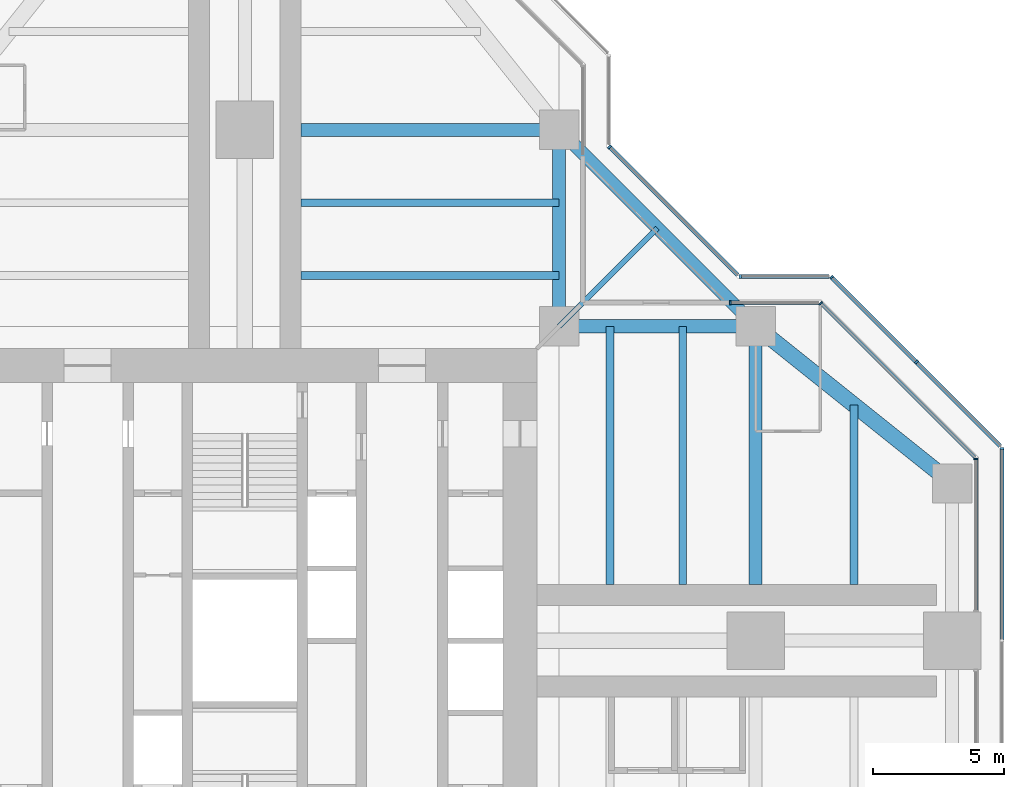
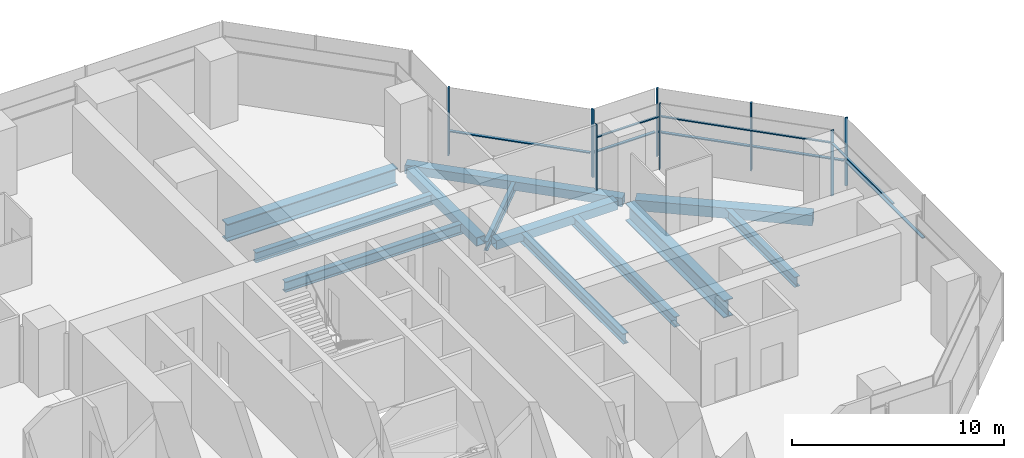
# One storey, part 8 of 17: 16 members, 12 beams, 7 elements without a shape of their own.
"""IFC4 building model written with IfcOpenShell, lengths in metres."""

import ifcopenshell
import ifcopenshell.guid

model = None  # the IFC model being written
_history = None  # IfcOwnerHistory: only IFC2X3 demands one
_inside = {}  # id of a spatial element -> (the spatial element, [elements in it])
_under = {}  # id of a project, library or spatial element -> (it, [spatial elements below it])
_declared = {}  # id of a project -> (the project, [libraries it declares])
_typed = {}  # id of a type object -> (the type object, [elements of that type])
_made_of = {}  # id of a material, layer set ... -> (it, [elements and type objects made of it])


def new_model(schema):
    """Start an empty IFC model of exactly this schema.

    Asked for "IFC4X3", IfcOpenShell would pick the latest addendum, in which some entities
    have other attributes; the version numbers below select the first issue.
    IFC2X3 requires an IfcOwnerHistory on every rooted entity: one is made here for all.
    """
    global model, _history
    if schema == "IFC4X3":
        model = ifcopenshell.file(schema_version=(4, 3, 0, 0))
    else:
        model = ifcopenshell.file(schema=schema)
    _inside.clear()
    _under.clear()
    _declared.clear()
    _typed.clear()
    _made_of.clear()
    _history = None
    if model.schema == "IFC2X3":
        org = make("IfcOrganization", Name="unknown")
        user = make(
            "IfcPersonAndOrganization",
            ThePerson=make("IfcPerson", FamilyName="unknown"),
            TheOrganization=org,
        )
        app = make(
            "IfcApplication",
            ApplicationDeveloper=org,
            Version="unknown",
            ApplicationFullName="unknown",
            ApplicationIdentifier="unknown",
        )
        _history = make(
            "IfcOwnerHistory",
            OwningUser=user,
            OwningApplication=app,
            ChangeAction="ADDED",
            CreationDate=0,
        )
    return model


def make(cls, **values):
    """One entity of the class cls with the attributes given. An attribute that is None is left unset."""
    return model.create_entity(
        cls, **{name: value for name, value in values.items() if value is not None}
    )


def rooted(cls, **values):
    """An entity with a GlobalId (a new one), such as an element, a storey or a relation."""
    return make(cls, GlobalId=ifcopenshell.guid.new(), OwnerHistory=_history, **values)


def si_unit(unit_type, name, prefix=None):
    """IfcSIUnit, for example si_unit("LENGTHUNIT", "METRE", prefix="MILLI")."""
    return make("IfcSIUnit", UnitType=unit_type, Prefix=prefix, Name=name)


def assignment(units):
    """IfcUnitAssignment: the units of a project."""
    return None if units is None else make("IfcUnitAssignment", Units=units)


def point(xyz):
    """IfcCartesianPoint."""
    return None if xyz is None else make("IfcCartesianPoint", Coordinates=xyz)


def direction(xyz):
    """IfcDirection."""
    return None if xyz is None else make("IfcDirection", DirectionRatios=xyz)


def frame(location, z_axis=None, x_axis=None):
    """IfcAxis2Placement3D, a coordinate frame: its origin and axes. An axis left out is left unset."""
    return make(
        "IfcAxis2Placement3D",
        Location=point(location),
        Axis=direction(z_axis),
        RefDirection=direction(x_axis),
    )


def frame_2d(location, x_axis=None):
    """IfcAxis2Placement2D, a coordinate frame in the plane: its origin and x axis."""
    return make(
        "IfcAxis2Placement2D", Location=point(location), RefDirection=direction(x_axis)
    )


def origin():
    """The frame at (0, 0, 0) with its axes left unset."""
    return frame((0.0, 0.0, 0.0))


def origin_2d():
    """The frame at (0, 0) in the plane with its x axis left unset."""
    return frame_2d((0.0, 0.0))


def place(relative_to, where):
    """IfcLocalPlacement: puts the frame where relative to a parent placement (None: the world)."""
    return make(
        "IfcLocalPlacement", PlacementRelTo=relative_to, RelativePlacement=where
    )


def context(
    kind, dimensions, precision=None, world=None, true_north=None, identifier=None
):
    """IfcGeometricRepresentationContext, for example the 3D "Model" context."""
    return make(
        "IfcGeometricRepresentationContext",
        ContextIdentifier=identifier,
        ContextType=kind,
        CoordinateSpaceDimension=dimensions,
        Precision=precision,
        WorldCoordinateSystem=world,
        TrueNorth=true_north,
    )


def subcontext(parent, identifier, kind, view, scale=None):
    """IfcGeometricRepresentationSubContext, for example "Body" below "Model"."""
    return make(
        "IfcGeometricRepresentationSubContext",
        ContextIdentifier=identifier,
        ContextType=kind,
        ParentContext=parent,
        TargetScale=scale,
        TargetView=view,
    )


def project(units=None, contexts=None):
    """IfcProject with its units and contexts."""
    return rooted(
        "IfcProject",
        Name="project",
        RepresentationContexts=contexts,
        UnitsInContext=assignment(units),
    )


def spatial(cls, under=None, at=None, **own):
    """A site, building, storey or space (cls), placed at a placement, below another one or the project."""
    s = rooted(cls, ObjectPlacement=at, **own)
    if under is not None:
        _under.setdefault(under.id(), (under, []))[1].append(s)
    return s


def profile(cls, at=None, kind="AREA", **sizes):
    """A parametric profile (cls). Its sizes go by their IFC names, for example OverallWidth=200.0."""
    return make(cls, ProfileType=kind, Position=at, **sizes)


def rectangle(**sizes):
    """IfcRectangleProfileDef."""
    return profile("IfcRectangleProfileDef", **sizes)


def hollow_rectangle(**sizes):
    """IfcRectangleHollowProfileDef."""
    return profile("IfcRectangleHollowProfileDef", **sizes)


def i_section(**sizes):
    """IfcIShapeProfileDef."""
    return profile("IfcIShapeProfileDef", **sizes)


def extrude(swept, where, along, depth):
    """IfcExtrudedAreaSolid: the profile swept, set in the frame where, extruded along a direction by depth."""
    return make(
        "IfcExtrudedAreaSolid",
        SweptArea=swept,
        Position=where,
        ExtrudedDirection=direction(along),
        Depth=depth,
    )


def shape(context_of_items, identifier, shape_type, items):
    """IfcShapeRepresentation: the items that make up one representation, for example the "Body"."""
    return make(
        "IfcShapeRepresentation",
        ContextOfItems=context_of_items,
        RepresentationIdentifier=identifier,
        RepresentationType=shape_type,
        Items=items,
    )


def material(Name=None, Category=None):
    """IfcMaterial."""
    return make("IfcMaterial", Name=Name, Category=Category)


def material_profile(
    of_material, cross_section, Name=None, Category=None, Priority=None
):
    """IfcMaterialProfile: a cross section and its material."""
    return make(
        "IfcMaterialProfile",
        Name=Name,
        Material=of_material,
        Profile=cross_section,
        Priority=Priority,
        Category=Category,
    )


def profile_set(profiles, Name=None, composite=None):
    """IfcMaterialProfileSet."""
    return make(
        "IfcMaterialProfileSet",
        Name=Name,
        MaterialProfiles=profiles,
        CompositeProfile=composite,
    )


def made_of(thing, what):
    """Note that an element or type object is made of a material, layer set ...; save() writes the relation."""
    if what is not None:
        _made_of.setdefault(what.id(), (what, []))[1].append(thing)
    return thing


def type_object(cls, material=None, **own):
    """A type object (cls), such as IfcWallType, which elements share."""
    return made_of(rooted(cls, **own), material)


def element(
    cls,
    number,
    at=None,
    inside=None,
    cuts=None,
    type_object=None,
    material=None,
    context=None,
    identifier="Body",
    shape_type=None,
    held_by="IfcProductDefinitionShape",
    body=None,
    shapes=None,
    **own,
):
    """One element of the class cls, such as IfcWall. Its Tag is "e" and its number.

    at: its placement. inside: the storey or other place that contains it. cuts: it is an
    opening in that element (IfcRelVoidsElement). A single representation is given by context,
    identifier, shape_type and body (its items); several are given by shapes. held_by: the class
    of the entity that holds the representations. save() writes the other relations.
    """
    e = rooted(cls, Tag="e%d" % number, ObjectPlacement=at, **own)
    if body is not None:
        shapes = [shape(context, identifier, shape_type, body)]
    if shapes is not None:
        e.Representation = make(held_by, Representations=shapes)
    if inside is not None:
        _inside.setdefault(inside.id(), (inside, []))[1].append(e)
    if cuts is not None:
        rooted(
            "IfcRelVoidsElement", RelatingBuildingElement=cuts, RelatedOpeningElement=e
        )
    if type_object is not None:
        _typed.setdefault(type_object.id(), (type_object, []))[1].append(e)
    return made_of(e, material)


def aggregate(whole, parts):
    """IfcRelAggregates: a whole, such as a stair, and the parts it consists of."""
    return rooted("IfcRelAggregates", RelatingObject=whole, RelatedObjects=parts)


def save(model, path):
    """Write the relations noted so far, then the file.

    IfcRelAggregates (storeys below a building ...), IfcRelContainedInSpatialStructure (elements
    in a storey), IfcRelDefinesByType, IfcRelAssociatesMaterial and IfcRelDeclares: one each for
    every whole, place, type object, material and project.
    """
    for whole, parts in _under.values():
        aggregate(whole, parts)
    for where, things in _inside.values():
        rooted(
            "IfcRelContainedInSpatialStructure",
            RelatedElements=things,
            RelatingStructure=where,
        )
    for kind, things in _typed.values():
        rooted("IfcRelDefinesByType", RelatedObjects=things, RelatingType=kind)
    for what, things in _made_of.values():
        rooted("IfcRelAssociatesMaterial", RelatedObjects=things, RelatingMaterial=what)
    for by, libraries in _declared.values():
        rooted("IfcRelDeclares", RelatingContext=by, RelatedDefinitions=libraries)
    model.write(path)


model = new_model("IFC4")

# Units and contexts
model_context = context("Model", 3, precision=1e-05, world=origin(), true_north=direction((0.0, 1.0)))
body_context = subcontext(model_context, "Body", "Model", "MODEL_VIEW")
ifc_project = project(units=[si_unit("LENGTHUNIT", "METRE"), si_unit("AREAUNIT", "SQUARE_METRE"), si_unit("VOLUMEUNIT", "CUBIC_METRE"), si_unit("PLANEANGLEUNIT", "RADIAN"), si_unit("MASSUNIT", "GRAM", prefix="KILO")], contexts=[model_context])

# Site, building, storey
site_placement = place(None, origin())
site = spatial("IfcSite", under=ifc_project, at=site_placement, CompositionType="ELEMENT")
building_placement = place(site_placement, origin())
building = spatial("IfcBuilding", under=site, at=building_placement, Name="Mizan Broadcast Tower", CompositionType="ELEMENT")
storey_placement = place(building_placement, frame((0.0, 0.0, 240.0)))
storey = spatial("IfcBuildingStorey", under=building, at=storey_placement, Name="L56", CompositionType="ELEMENT", Elevation=240.0)

# Beams
ifc_material_1 = material(Name="Steel S355", Category="steel")
ifc_material_profile_1 = material_profile(ifc_material_1, hollow_rectangle(XDim=0.5, YDim=0.5, WallThickness=0.030029296875, at=origin_2d()), Name="BOX 500x500x30")
ifc_profile_set_1 = profile_set([ifc_material_profile_1], Name="Steel S355")
beam_type_1 = type_object("IfcBeamType", Name="EDGE BEAM BOX 500x500x30", PredefinedType="SPANDREL", material=ifc_profile_set_1)
for number, where, z_axis, x_axis, name in (
    (1, (12.449951171875, 12.0, -0.3798828125), (1.0, 0.0, 0.0), (0.0, 1.0, 0.0), "Edge beam BOX 500x500x30 L56 east arm"),
    (2, (12.0, 12.449951171875, -0.3798828125), (0.0, 1.0, 0.0), (-1.0, 0.0, 0.0), "Edge beam BOX 500x500x30 L56 north arm"),
):
    element("IfcBeam", number, at=place(storey_placement, frame(where, z_axis=z_axis, x_axis=x_axis)), inside=storey, type_object=beam_type_1, Name=name, PredefinedType="SPANDREL", context=body_context, shape_type="SweptSolid", body=[
        extrude(hollow_rectangle(XDim=0.5, YDim=0.5, WallThickness=0.030029296875, at=origin_2d()), origin(), (0.0, 0.0, 1.0), 6.60009765625),
    ])
beam_1_placement = place(storey_placement, frame((19.5, 12.0, -0.3798828125), z_axis=(-0.707106781187, 0.707106781187, 0.0), x_axis=(-0.707106781187, -0.707106781187, 0.0)))
element("IfcBeam", 3, at=beam_1_placement, inside=storey, type_object=beam_type_1, Name="Winter garden edge beam L56 E", PredefinedType="SPANDREL", context=body_context, shape_type="SweptSolid", body=[
    extrude(hollow_rectangle(XDim=0.5, YDim=0.5, WallThickness=0.030029296875, at=origin_2d()), origin(), (0.0, 0.0, 1.0), 10.606689453125),
])
ifc_material_2 = material(Name="Steel S355", Category="steel")
ifc_material_profile_2 = material_profile(ifc_material_2, hollow_rectangle(XDim=0.60009765625, YDim=0.60009765625, WallThickness=0.030029296875, at=origin_2d()), Name="BOX 600x600x30")
ifc_profile_set_2 = profile_set([ifc_material_profile_2], Name="Steel S355")
beam_type_2 = type_object("IfcBeamType", Name="EDGE BEAM BOX 600x600x30", PredefinedType="SPANDREL", material=ifc_profile_set_2)
beam_2_placement = place(storey_placement, frame((19.949951171875, 11.639892578125, -0.429931640625), z_axis=(0.780885717636, -0.624673911726, 0.0), x_axis=(0.624673911726, 0.780885717636, 0.0)))
element("IfcBeam", 4, at=beam_2_placement, inside=storey, type_object=beam_type_2, Name="Edge beam BOX 600x600x30 L56 east arm", PredefinedType="SPANDREL", context=body_context, shape_type="SweptSolid", body=[
    extrude(hollow_rectangle(XDim=0.60009765625, YDim=0.60009765625, WallThickness=0.030029296875, at=origin_2d()), origin(), (0.0, 0.0, 1.0), 8.4521484375),
])
ifc_material_3 = material(Name="Steel S460", Category="steel")
ifc_material_profile_3 = material_profile(ifc_material_3, i_section(OverallWidth=0.5, OverallDepth=1.0, WebThickness=0.02490234375, FlangeThickness=0.050048828125, at=origin_2d()), Name="WPG 1000x500")
ifc_profile_set_3 = profile_set([ifc_material_profile_3], Name="Steel S460")
beam_type_3 = type_object("IfcBeamType", Name="GIRDER WPG 1000x500", PredefinedType="BEAM", material=ifc_profile_set_3)
for number, where, z_axis, x_axis, name in (
    (5, (19.5, 11.408935546875, -0.6298828125), (0.0, -1.0, 0.0), (1.0, 0.0, 0.0), "Girder WPG 1000x500 L56 east arm"),
    (6, (11.408935546875, 19.5, -0.6298828125), (-1.0, 0.0, 0.0), (0.0, -1.0, 0.0), "Girder WPG 1000x500 L56 north arm"),
):
    element("IfcBeam", number, at=place(storey_placement, frame(where, z_axis=z_axis, x_axis=x_axis)), inside=storey, type_object=beam_type_3, Name=name, PredefinedType="BEAM", context=body_context, shape_type="SweptSolid", body=[
        extrude(i_section(OverallWidth=0.5, OverallDepth=1.0, WebThickness=0.02490234375, FlangeThickness=0.050048828125, at=origin_2d()), origin(), (0.0, 0.0, 1.0), 9.259033203125),
    ])

# Curtain wall, member
ifc_material_4 = material(Name="Aluminium framed glazing", Category="aluminium")
curtain_wall_type_1 = type_object("IfcCurtainWallType", Name="INNER SKIN HIGH ZONE", PredefinedType="USERDEFINED", material=ifc_material_4)
curtain_wall_1_placement = place(storey_placement, origin())
curtain_wall_1 = element("IfcCurtainWall", 7, at=curtain_wall_1_placement, inside=storey, type_object=curtain_wall_type_1, Name="Inner skin high zone L56 E end", ObjectType="INNER SKIN HIGH ZONE", PredefinedType="USERDEFINED")
ifc_material_5 = material(Name="Aluminium, pale anodised", Category="aluminium")
ifc_material_profile_4 = material_profile(ifc_material_5, rectangle(XDim=0.159912109375, YDim=0.06005859375, at=origin_2d()), Name="MULLION 160x60")
ifc_profile_set_4 = profile_set([ifc_material_profile_4], Name="Aluminium, pale anodised")
member_type_1 = type_object("IfcMemberType", Name="INNER SKIN MULLION 60x160", PredefinedType="MULLION", material=ifc_profile_set_4)
member_1_placement = place(storey_placement, frame((27.89990234375, 6.928466796875, 0.0), z_axis=(0.0, 0.0, 1.0), x_axis=(-1.0, 0.0, 0.0)))
member_1 = element("IfcMember", 8, at=member_1_placement, type_object=member_type_1, Name="Inner skin high zone L56 E end mullion 2", PredefinedType="MULLION", context=body_context, shape_type="SweptSolid", body=[
    extrude(rectangle(XDim=0.159912109375, YDim=0.06005859375, at=origin_2d()), origin(), (0.0, 0.0, 1.0), 3.77001953125),
])

curtain_wall_2_placement = place(storey_placement, origin())
curtain_wall_2 = element("IfcCurtainWall", 9, at=curtain_wall_2_placement, inside=storey, type_object=curtain_wall_type_1, Name="Inner skin high zone L56 E chamfer", ObjectType="INNER SKIN HIGH ZONE", PredefinedType="USERDEFINED")
member_2_placement = place(storey_placement, frame((21.979736328125, 12.87890625, 0.0), z_axis=(0.0, 0.0, 1.0), x_axis=(-0.707106781187, -0.707106781187, 0.0)))
member_2 = element("IfcMember", 10, at=member_2_placement, type_object=member_type_1, Name="Inner skin high zone L56 E chamfer mullion 2", PredefinedType="MULLION", context=body_context, shape_type="SweptSolid", body=[
    extrude(rectangle(XDim=0.159912109375, YDim=0.06005859375, at=origin_2d()), origin(), (0.0, 0.0, 1.0), 3.77001953125),
])

curtain_wall_3_placement = place(storey_placement, origin())
curtain_wall_3 = element("IfcCurtainWall", 11, at=curtain_wall_3_placement, inside=storey, type_object=curtain_wall_type_1, Name="Inner skin high zone L56 E side", ObjectType="INNER SKIN HIGH ZONE", PredefinedType="USERDEFINED")
member_3_placement = place(storey_placement, frame((18.530029296875, 12.89990234375, 0.0), z_axis=(0.0, 0.0, 1.0), x_axis=(0.0, -1.0, 0.0)))
member_3 = element("IfcMember", 12, at=member_3_placement, type_object=member_type_1, Name="Inner skin high zone L56 E side mullion 2", PredefinedType="MULLION", context=body_context, shape_type="SweptSolid", body=[
    extrude(rectangle(XDim=0.159912109375, YDim=0.06005859375, at=origin_2d()), origin(), (0.0, 0.0, 1.0), 3.77001953125),
])

# Member
ifc_material_6 = material(Name="Aluminium, pale anodised", Category="aluminium")
ifc_material_profile_5 = material_profile(ifc_material_6, rectangle(XDim=0.1201171875, YDim=0.06005859375, at=origin_2d()), Name="TRANSOM 120x60")
ifc_profile_set_5 = profile_set([ifc_material_profile_5], Name="Aluminium, pale anodised")
member_type_2 = type_object("IfcMemberType", Name="INNER SKIN TRANSOM 60x120", PredefinedType="USERDEFINED", material=ifc_profile_set_5)
member_4_placement = place(storey_placement, frame((27.89990234375, 1.159912109375, 3.030029296875), z_axis=(0.0, 1.0, 0.0), x_axis=(-1.0, 0.0, 0.0)))
member_4 = element("IfcMember", 13, at=member_4_placement, type_object=member_type_2, Name="Inner skin high zone L56 E end transom 1.1", ObjectType="TRANSOM", PredefinedType="USERDEFINED", context=body_context, shape_type="SweptSolid", body=[
    extrude(rectangle(XDim=0.1201171875, YDim=0.06005859375, at=origin_2d()), origin(), (0.0, 0.0, 1.0), 5.73876953125),
])

aggregate(curtain_wall_1, [member_1, member_4])

member_5_placement = place(storey_placement, frame((27.857666015625, 7.0009765625, 3.030029296875), z_axis=(-0.707106781187, 0.707106781187, 0.0), x_axis=(-0.707106781187, -0.707106781187, 0.0)))
member_5 = element("IfcMember", 14, at=member_5_placement, type_object=member_type_2, Name="Inner skin high zone L56 E chamfer transom 1.1", ObjectType="TRANSOM", PredefinedType="USERDEFINED", context=body_context, shape_type="SweptSolid", body=[
    extrude(rectangle(XDim=0.1201171875, YDim=0.06005859375, at=origin_2d()), origin(), (0.0, 0.0, 1.0), 8.28271484375),
])

aggregate(curtain_wall_2, [member_2, member_5])

member_6_placement = place(storey_placement, frame((21.898681640625, 12.89990234375, 3.030029296875), z_axis=(-1.0, 0.0, 0.0), x_axis=(0.0, -1.0, 0.0)))
member_6 = element("IfcMember", 15, at=member_6_placement, type_object=member_type_2, Name="Inner skin high zone L56 E side transom 1.1", ObjectType="TRANSOM", PredefinedType="USERDEFINED", context=body_context, shape_type="SweptSolid", body=[
    extrude(rectangle(XDim=0.1201171875, YDim=0.06005859375, at=origin_2d()), origin(), (0.0, 0.0, 1.0), 3.338623046875),
])

aggregate(curtain_wall_3, [member_3, member_6])

# Curtain wall, member
ifc_material_7 = material(Name="Aluminium framed glazing", Category="aluminium")
curtain_wall_type_2 = type_object("IfcCurtainWallType", Name="OUTER SKIN", PredefinedType="USERDEFINED", material=ifc_material_7)
curtain_wall_4_placement = place(storey_placement, origin())
curtain_wall_4 = element("IfcCurtainWall", 16, at=curtain_wall_4_placement, inside=storey, type_object=curtain_wall_type_2, Name="Outer skin L56 E end", ObjectType="OUTER SKIN", PredefinedType="USERDEFINED")
ifc_material_8 = material(Name="Aluminium, pale anodised", Category="aluminium")
ifc_material_profile_6 = material_profile(ifc_material_8, rectangle(XDim=0.159912109375, YDim=0.080078125, at=origin_2d()), Name="MULLION 160x80")
ifc_profile_set_6 = profile_set([ifc_material_profile_6], Name="Aluminium, pale anodised")
member_type_3 = type_object("IfcMemberType", Name="OUTER SKIN MULLION 80x160", PredefinedType="MULLION", material=ifc_profile_set_6)
member_7_placement = place(storey_placement, frame((28.89990234375, 7.332763671875, 0.0), z_axis=(0.0, 0.0, 1.0), x_axis=(-1.0, 0.0, 0.0)))
member_7 = element("IfcMember", 17, at=member_7_placement, type_object=member_type_3, Name="Outer skin L56 E end mullion 3", PredefinedType="MULLION", context=body_context, shape_type="SweptSolid", body=[
    extrude(rectangle(XDim=0.159912109375, YDim=0.080078125, at=origin_2d()), origin(), (0.0, 0.0, 1.0), 3.89990234375),
])

# Curtain wall, members
curtain_wall_5_placement = place(storey_placement, origin())
curtain_wall_5 = element("IfcCurtainWall", 18, at=curtain_wall_5_placement, inside=storey, type_object=curtain_wall_type_2, Name="Outer skin L56 E chamfer", ObjectType="OUTER SKIN", PredefinedType="USERDEFINED")
member_8_placement = place(storey_placement, frame((25.636474609375, 10.636474609375, 0.0), z_axis=(0.0, 0.0, 1.0), x_axis=(-0.707106781187, -0.707106781187, 0.0)))
member_8 = element("IfcMember", 19, at=member_8_placement, type_object=member_type_3, Name="Outer skin L56 E chamfer mullion 2", PredefinedType="MULLION", context=body_context, shape_type="SweptSolid", body=[
    extrude(rectangle(XDim=0.159912109375, YDim=0.080078125, at=origin_2d()), origin(), (0.0, 0.0, 1.0), 3.89990234375),
])
member_9_placement = place(storey_placement, frame((22.401123046875, 13.871826171875, 0.0), z_axis=(0.0, 0.0, 1.0), x_axis=(-0.707106781187, -0.707106781187, 0.0)))
member_9 = element("IfcMember", 20, at=member_9_placement, type_object=member_type_3, Name="Outer skin L56 E chamfer mullion 3", PredefinedType="MULLION", context=body_context, shape_type="SweptSolid", body=[
    extrude(rectangle(XDim=0.159912109375, YDim=0.080078125, at=origin_2d()), origin(), (0.0, 0.0, 1.0), 3.89990234375),
])

# Curtain wall, member
curtain_wall_6_placement = place(storey_placement, origin())
curtain_wall_6 = element("IfcCurtainWall", 21, at=curtain_wall_6_placement, inside=storey, type_object=curtain_wall_type_2, Name="Outer skin L56 E side", ObjectType="OUTER SKIN", PredefinedType="USERDEFINED")
member_10_placement = place(storey_placement, frame((18.912841796875, 13.89990234375, 0.0), z_axis=(0.0, 0.0, 1.0), x_axis=(0.0, -1.0, 0.0)))
member_10 = element("IfcMember", 22, at=member_10_placement, type_object=member_type_3, Name="Outer skin L56 E side mullion 2", PredefinedType="MULLION", context=body_context, shape_type="SweptSolid", body=[
    extrude(rectangle(XDim=0.159912109375, YDim=0.080078125, at=origin_2d()), origin(), (0.0, 0.0, 1.0), 3.89990234375),
])

curtain_wall_7_placement = place(storey_placement, origin())
curtain_wall_7 = element("IfcCurtainWall", 23, at=curtain_wall_7_placement, inside=storey, type_object=curtain_wall_type_2, Name="Outer skin L56 E chamfer", ObjectType="OUTER SKIN", PredefinedType="USERDEFINED")
member_11_placement = place(storey_placement, frame((13.92822265625, 18.844482421875, 0.0), z_axis=(0.0, 0.0, 1.0), x_axis=(-0.707106781187, -0.707106781187, 0.0)))
member_11 = element("IfcMember", 24, at=member_11_placement, type_object=member_type_3, Name="Outer skin L56 E chamfer mullion 2", PredefinedType="MULLION", context=body_context, shape_type="SweptSolid", body=[
    extrude(rectangle(XDim=0.159912109375, YDim=0.080078125, at=origin_2d()), origin(), (0.0, 0.0, 1.0), 3.89990234375),
])

# Member
ifc_material_9 = material(Name="Aluminium, pale anodised", Category="aluminium")
ifc_material_profile_7 = material_profile(ifc_material_9, rectangle(XDim=0.159912109375, YDim=0.06005859375, at=origin_2d()), Name="TRANSOM 160x60")
ifc_profile_set_7 = profile_set([ifc_material_profile_7], Name="Aluminium, pale anodised")
member_type_4 = type_object("IfcMemberType", Name="OUTER SKIN TRANSOM 60x160", PredefinedType="USERDEFINED", material=ifc_profile_set_7)
member_12_placement = place(storey_placement, frame((28.89990234375, 0.0400390625, 1.39990234375), z_axis=(0.0, 1.0, 0.0), x_axis=(-1.0, 0.0, 0.0)))
member_12 = element("IfcMember", 25, at=member_12_placement, type_object=member_type_4, Name="Outer skin L56 E end transom 2.1", ObjectType="TRANSOM", PredefinedType="USERDEFINED", context=body_context, shape_type="SweptSolid", body=[
    extrude(rectangle(XDim=0.159912109375, YDim=0.06005859375, at=origin_2d()), origin(), (0.0, 0.0, 1.0), 7.252685546875),
])

aggregate(curtain_wall_4, [member_7, member_12])

member_13_placement = place(storey_placement, frame((28.843505859375, 7.429443359375, 1.39990234375), z_axis=(-0.707106781187, 0.707106781187, 0.0), x_axis=(-0.707106781187, -0.707106781187, 0.0)))
member_13 = element("IfcMember", 26, at=member_13_placement, type_object=member_type_4, Name="Outer skin L56 E chamfer transom 1.1", ObjectType="TRANSOM", PredefinedType="USERDEFINED", context=body_context, shape_type="SweptSolid", body=[
    extrude(rectangle(XDim=0.159912109375, YDim=0.06005859375, at=origin_2d()), origin(), (0.0, 0.0, 1.0), 4.495361328125),
])

member_14_placement = place(storey_placement, frame((25.608154296875, 10.664794921875, 1.39990234375), z_axis=(-0.707106781187, 0.707106781187, 0.0), x_axis=(-0.707106781187, -0.707106781187, 0.0)))
member_14 = element("IfcMember", 27, at=member_14_placement, type_object=member_type_4, Name="Outer skin L56 E chamfer transom 2.1", ObjectType="TRANSOM", PredefinedType="USERDEFINED", context=body_context, shape_type="SweptSolid", body=[
    extrude(rectangle(XDim=0.159912109375, YDim=0.06005859375, at=origin_2d()), origin(), (0.0, 0.0, 1.0), 4.495361328125),
])

aggregate(curtain_wall_5, [member_8, member_9, member_13, member_14])

member_15_placement = place(storey_placement, frame((22.292724609375, 13.89990234375, 1.39990234375), z_axis=(-1.0, 0.0, 0.0), x_axis=(0.0, -1.0, 0.0)))
member_15 = element("IfcMember", 28, at=member_15_placement, type_object=member_type_4, Name="Outer skin L56 E side transom 1.1", ObjectType="TRANSOM", PredefinedType="USERDEFINED", context=body_context, shape_type="SweptSolid", body=[
    extrude(rectangle(XDim=0.159912109375, YDim=0.06005859375, at=origin_2d()), origin(), (0.0, 0.0, 1.0), 3.33984375),
])

aggregate(curtain_wall_6, [member_10, member_15])

member_16_placement = place(storey_placement, frame((18.816162109375, 13.95654296875, 1.39990234375), z_axis=(-0.707106781187, 0.707106781187, 0.0), x_axis=(-0.707106781187, -0.707106781187, 0.0)))
member_16 = element("IfcMember", 29, at=member_16_placement, type_object=member_type_4, Name="Outer skin L56 E chamfer transom 1.1", ObjectType="TRANSOM", PredefinedType="USERDEFINED", context=body_context, shape_type="SweptSolid", body=[
    extrude(rectangle(XDim=0.159912109375, YDim=0.06005859375, at=origin_2d()), origin(), (0.0, 0.0, 1.0), 6.87255859375),
])

aggregate(curtain_wall_7, [member_11, member_16])

# Beams
ifc_material_10 = material(Name="Steel S355", Category="steel")
ifc_material_profile_8 = material_profile(ifc_material_10, i_section(OverallWidth=0.300048828125, OverallDepth=0.590087890625, WebThickness=0.012939453125, FlangeThickness=0.02490234375, FilletRadius=0.027099609375, at=origin_2d()), Name="HEA 600")
ifc_profile_set_8 = profile_set([ifc_material_profile_8], Name="Steel S355")
beam_type_4 = type_object("IfcBeamType", Name="SECONDARY BEAM HEA 600", PredefinedType="JOIST", material=ifc_profile_set_8)
for number, where, z_axis, x_axis, name in (
    (30, (13.933349609375, 12.0, -0.425048828125), (0.0, -1.0, 0.0), (1.0, 0.0, 0.0), "Secondary beam HEA 600 L56 east arm"),
    (31, (16.716552734375, 12.0, -0.425048828125), (0.0, -1.0, 0.0), (1.0, 0.0, 0.0), "Secondary beam HEA 600 L56 east arm"),
):
    element("IfcBeam", number, at=place(storey_placement, frame(where, z_axis=z_axis, x_axis=x_axis)), inside=storey, type_object=beam_type_4, Name=name, PredefinedType="JOIST", context=body_context, shape_type="SweptSolid", body=[
        extrude(i_section(OverallWidth=0.300048828125, OverallDepth=0.590087890625, WebThickness=0.012939453125, FlangeThickness=0.02490234375, FilletRadius=0.027099609375, at=origin_2d()), origin(), (0.0, 0.0, 1.0), 9.85009765625),
    ])
beam_3_placement = place(storey_placement, frame((23.25, 9.0, -0.425048828125), z_axis=(0.0, -1.0, 0.0), x_axis=(1.0, 0.0, 0.0)))
element("IfcBeam", 32, at=beam_3_placement, inside=storey, type_object=beam_type_4, Name="Secondary beam HEA 600 L56 east arm", PredefinedType="JOIST", context=body_context, shape_type="SweptSolid", body=[
    extrude(i_section(OverallWidth=0.300048828125, OverallDepth=0.590087890625, WebThickness=0.012939453125, FlangeThickness=0.02490234375, FilletRadius=0.027099609375, at=origin_2d()), origin(), (0.0, 0.0, 1.0), 6.85009765625),
])
for number, where, z_axis, x_axis, name in (
    (33, (12.0, 13.933349609375, -0.425048828125), (-1.0, 0.0, 0.0), (0.0, -1.0, 0.0), "Secondary beam HEA 600 L56 north arm"),
    (34, (12.0, 16.716552734375, -0.425048828125), (-1.0, 0.0, 0.0), (0.0, -1.0, 0.0), "Secondary beam HEA 600 L56 north arm"),
):
    element("IfcBeam", number, at=place(storey_placement, frame(where, z_axis=z_axis, x_axis=x_axis)), inside=storey, type_object=beam_type_4, Name=name, PredefinedType="JOIST", context=body_context, shape_type="SweptSolid", body=[
        extrude(i_section(OverallWidth=0.300048828125, OverallDepth=0.590087890625, WebThickness=0.012939453125, FlangeThickness=0.02490234375, FilletRadius=0.027099609375, at=origin_2d()), origin(), (0.0, 0.0, 1.0), 9.85009765625),
    ])
ifc_material_11 = material(Name="Steel S355", Category="steel")
ifc_material_profile_9 = material_profile(ifc_material_11, i_section(OverallWidth=0.2099609375, OverallDepth=0.550048828125, WebThickness=0.010986328125, FlangeThickness=0.01708984375, FilletRadius=0.02392578125, at=origin_2d()), Name="IPE 550")
ifc_profile_set_9 = profile_set([ifc_material_profile_9], Name="Steel S355")
beam_type_5 = type_object("IfcBeamType", Name="SECONDARY BEAM IPE 550", PredefinedType="JOIST", material=ifc_profile_set_9)
beam_4_placement = place(storey_placement, frame((12.0, 12.0, -0.405029296875), z_axis=(0.707106781187, 0.707106781187, 0.0), x_axis=(-0.707106781187, 0.707106781187, 0.0)))
element("IfcBeam", 35, at=beam_4_placement, inside=storey, type_object=beam_type_5, Name="Winter garden beam L56 E", PredefinedType="JOIST", context=body_context, shape_type="SweptSolid", body=[
    extrude(i_section(OverallWidth=0.2099609375, OverallDepth=0.550048828125, WebThickness=0.010986328125, FlangeThickness=0.01708984375, FilletRadius=0.02392578125, at=origin_2d()), origin(), (0.0, 0.0, 1.0), 5.30322265625),
])

save(model, "model.ifc")
